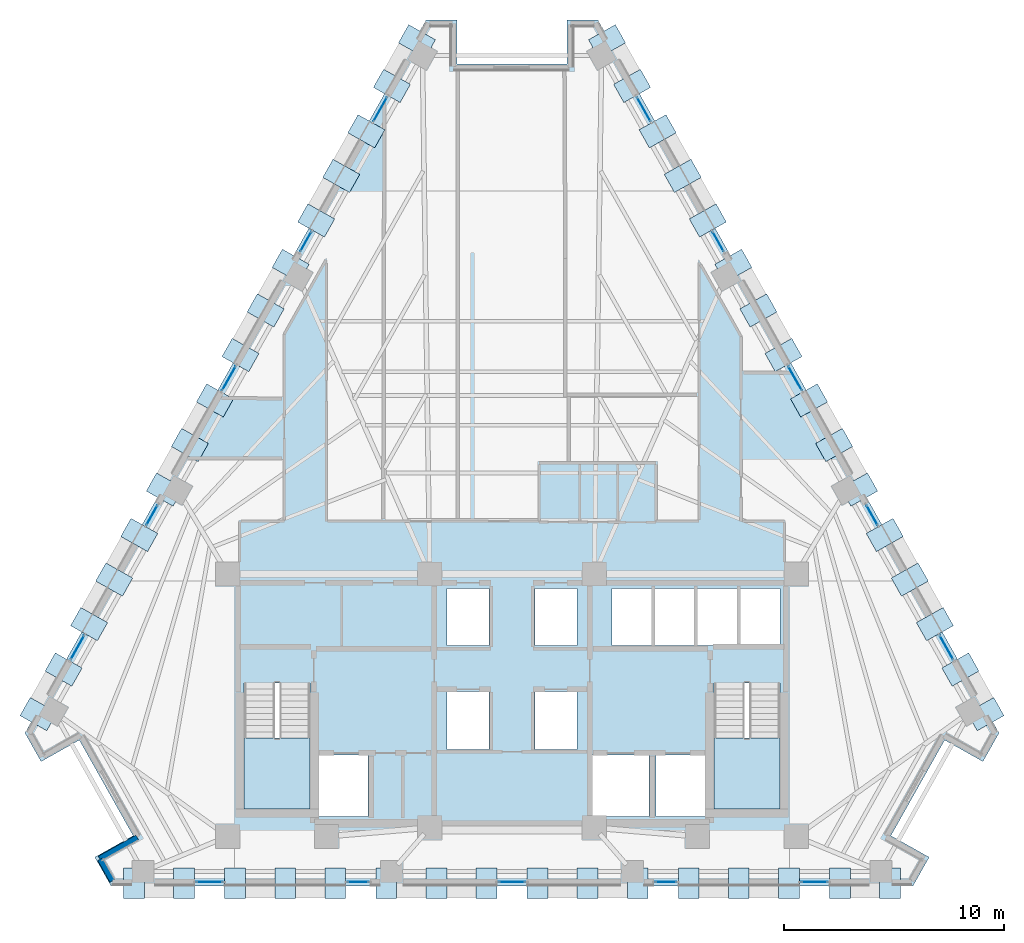
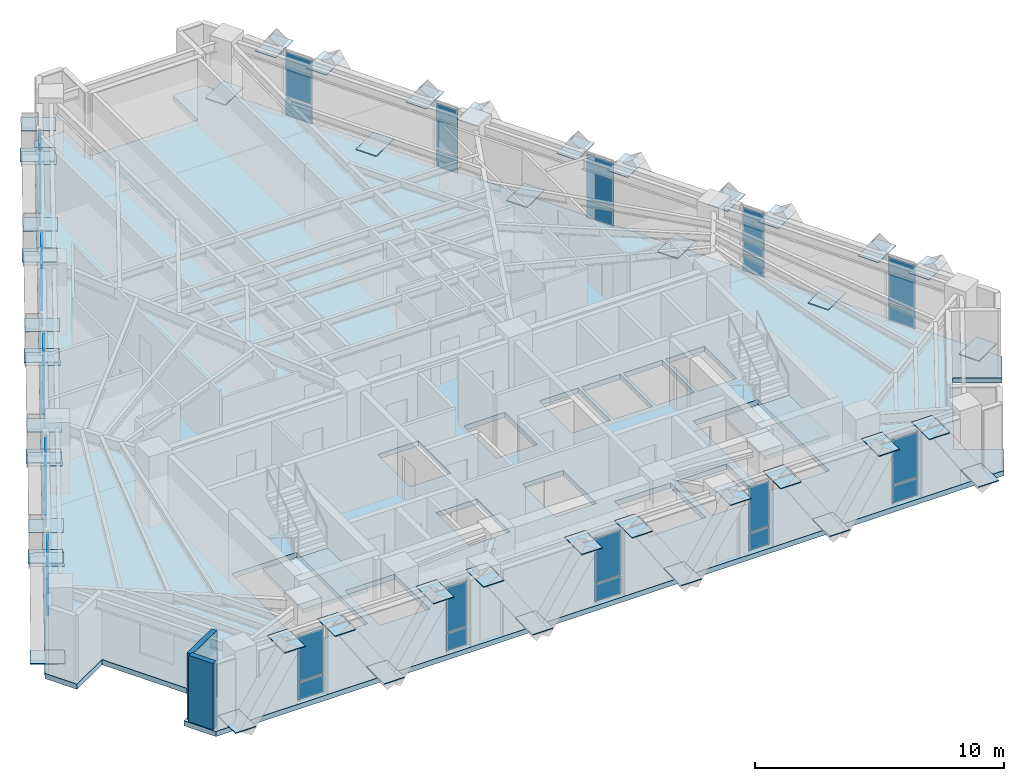
# One storey, part 6 of 13: 78 plates, 3 slabs, 2 walls, 17 elements without a shape of their own.
"""IFC4 building model written with IfcOpenShell, lengths in metres."""

import ifcopenshell
import ifcopenshell.guid

model = None  # the IFC model being written
_history = None  # IfcOwnerHistory: only IFC2X3 demands one
_inside = {}  # id of a spatial element -> (the spatial element, [elements in it])
_under = {}  # id of a project, library or spatial element -> (it, [spatial elements below it])
_declared = {}  # id of a project -> (the project, [libraries it declares])
_typed = {}  # id of a type object -> (the type object, [elements of that type])
_made_of = {}  # id of a material, layer set ... -> (it, [elements and type objects made of it])


def new_model(schema):
    """Start an empty IFC model of exactly this schema.

    Asked for "IFC4X3", IfcOpenShell would pick the latest addendum, in which some entities
    have other attributes; the version numbers below select the first issue.
    IFC2X3 requires an IfcOwnerHistory on every rooted entity: one is made here for all.
    """
    global model, _history
    if schema == "IFC4X3":
        model = ifcopenshell.file(schema_version=(4, 3, 0, 0))
    else:
        model = ifcopenshell.file(schema=schema)
    _inside.clear()
    _under.clear()
    _declared.clear()
    _typed.clear()
    _made_of.clear()
    _history = None
    if model.schema == "IFC2X3":
        org = make("IfcOrganization", Name="unknown")
        user = make(
            "IfcPersonAndOrganization",
            ThePerson=make("IfcPerson", FamilyName="unknown"),
            TheOrganization=org,
        )
        app = make(
            "IfcApplication",
            ApplicationDeveloper=org,
            Version="unknown",
            ApplicationFullName="unknown",
            ApplicationIdentifier="unknown",
        )
        _history = make(
            "IfcOwnerHistory",
            OwningUser=user,
            OwningApplication=app,
            ChangeAction="ADDED",
            CreationDate=0,
        )
    return model


def make(cls, **values):
    """One entity of the class cls with the attributes given. An attribute that is None is left unset."""
    return model.create_entity(
        cls, **{name: value for name, value in values.items() if value is not None}
    )


def rooted(cls, **values):
    """An entity with a GlobalId (a new one), such as an element, a storey or a relation."""
    return make(cls, GlobalId=ifcopenshell.guid.new(), OwnerHistory=_history, **values)


def si_unit(unit_type, name, prefix=None):
    """IfcSIUnit, for example si_unit("LENGTHUNIT", "METRE", prefix="MILLI")."""
    return make("IfcSIUnit", UnitType=unit_type, Prefix=prefix, Name=name)


def assignment(units):
    """IfcUnitAssignment: the units of a project."""
    return None if units is None else make("IfcUnitAssignment", Units=units)


def point(xyz):
    """IfcCartesianPoint."""
    return None if xyz is None else make("IfcCartesianPoint", Coordinates=xyz)


def direction(xyz):
    """IfcDirection."""
    return None if xyz is None else make("IfcDirection", DirectionRatios=xyz)


def frame(location, z_axis=None, x_axis=None):
    """IfcAxis2Placement3D, a coordinate frame: its origin and axes. An axis left out is left unset."""
    return make(
        "IfcAxis2Placement3D",
        Location=point(location),
        Axis=direction(z_axis),
        RefDirection=direction(x_axis),
    )


def frame_2d(location, x_axis=None):
    """IfcAxis2Placement2D, a coordinate frame in the plane: its origin and x axis."""
    return make(
        "IfcAxis2Placement2D", Location=point(location), RefDirection=direction(x_axis)
    )


def origin():
    """The frame at (0, 0, 0) with its axes left unset."""
    return frame((0.0, 0.0, 0.0))


def origin_2d():
    """The frame at (0, 0) in the plane with its x axis left unset."""
    return frame_2d((0.0, 0.0))


def place(relative_to, where):
    """IfcLocalPlacement: puts the frame where relative to a parent placement (None: the world)."""
    return make(
        "IfcLocalPlacement", PlacementRelTo=relative_to, RelativePlacement=where
    )


def context(
    kind, dimensions, precision=None, world=None, true_north=None, identifier=None
):
    """IfcGeometricRepresentationContext, for example the 3D "Model" context."""
    return make(
        "IfcGeometricRepresentationContext",
        ContextIdentifier=identifier,
        ContextType=kind,
        CoordinateSpaceDimension=dimensions,
        Precision=precision,
        WorldCoordinateSystem=world,
        TrueNorth=true_north,
    )


def subcontext(parent, identifier, kind, view, scale=None):
    """IfcGeometricRepresentationSubContext, for example "Body" below "Model"."""
    return make(
        "IfcGeometricRepresentationSubContext",
        ContextIdentifier=identifier,
        ContextType=kind,
        ParentContext=parent,
        TargetScale=scale,
        TargetView=view,
    )


def project(units=None, contexts=None):
    """IfcProject with its units and contexts."""
    return rooted(
        "IfcProject",
        Name="project",
        RepresentationContexts=contexts,
        UnitsInContext=assignment(units),
    )


def spatial(cls, under=None, at=None, **own):
    """A site, building, storey or space (cls), placed at a placement, below another one or the project."""
    s = rooted(cls, ObjectPlacement=at, **own)
    if under is not None:
        _under.setdefault(under.id(), (under, []))[1].append(s)
    return s


def polyline(points):
    """IfcPolyline through the points."""
    return make("IfcPolyline", Points=[point(p) for p in points])


def profile(cls, at=None, kind="AREA", **sizes):
    """A parametric profile (cls). Its sizes go by their IFC names, for example OverallWidth=200.0."""
    return make(cls, ProfileType=kind, Position=at, **sizes)


def rectangle(**sizes):
    """IfcRectangleProfileDef."""
    return profile("IfcRectangleProfileDef", **sizes)


def outline(outer, holes=None, kind="AREA"):
    """IfcArbitraryClosedProfileDef: a profile drawn as a closed curve; with holes, ...WithVoids."""
    if holes is None:
        return make("IfcArbitraryClosedProfileDef", ProfileType=kind, OuterCurve=outer)
    return make(
        "IfcArbitraryProfileDefWithVoids",
        ProfileType=kind,
        OuterCurve=outer,
        InnerCurves=holes,
    )


def extrude(swept, where, along, depth):
    """IfcExtrudedAreaSolid: the profile swept, set in the frame where, extruded along a direction by depth."""
    return make(
        "IfcExtrudedAreaSolid",
        SweptArea=swept,
        Position=where,
        ExtrudedDirection=direction(along),
        Depth=depth,
    )


def shape(context_of_items, identifier, shape_type, items):
    """IfcShapeRepresentation: the items that make up one representation, for example the "Body"."""
    return make(
        "IfcShapeRepresentation",
        ContextOfItems=context_of_items,
        RepresentationIdentifier=identifier,
        RepresentationType=shape_type,
        Items=items,
    )


def material(Name=None, Category=None):
    """IfcMaterial."""
    return make("IfcMaterial", Name=Name, Category=Category)


def layer(
    of_material, thickness, ventilated=None, Name=None, Category=None, Priority=None
):
    """IfcMaterialLayer: one layer of a wall or slab, of a material (None: an air gap)."""
    return make(
        "IfcMaterialLayer",
        Material=of_material,
        LayerThickness=thickness,
        IsVentilated=ventilated,
        Name=Name,
        Category=Category,
        Priority=Priority,
    )


def layer_set(layers, Name=None):
    """IfcMaterialLayerSet."""
    return make("IfcMaterialLayerSet", MaterialLayers=layers, LayerSetName=Name)


def made_of(thing, what):
    """Note that an element or type object is made of a material, layer set ...; save() writes the relation."""
    if what is not None:
        _made_of.setdefault(what.id(), (what, []))[1].append(thing)
    return thing


def type_object(cls, material=None, **own):
    """A type object (cls), such as IfcWallType, which elements share."""
    return made_of(rooted(cls, **own), material)


def element(
    cls,
    number,
    at=None,
    inside=None,
    cuts=None,
    type_object=None,
    material=None,
    context=None,
    identifier="Body",
    shape_type=None,
    held_by="IfcProductDefinitionShape",
    body=None,
    shapes=None,
    **own,
):
    """One element of the class cls, such as IfcWall. Its Tag is "e" and its number.

    at: its placement. inside: the storey or other place that contains it. cuts: it is an
    opening in that element (IfcRelVoidsElement). A single representation is given by context,
    identifier, shape_type and body (its items); several are given by shapes. held_by: the class
    of the entity that holds the representations. save() writes the other relations.
    """
    e = rooted(cls, Tag="e%d" % number, ObjectPlacement=at, **own)
    if body is not None:
        shapes = [shape(context, identifier, shape_type, body)]
    if shapes is not None:
        e.Representation = make(held_by, Representations=shapes)
    if inside is not None:
        _inside.setdefault(inside.id(), (inside, []))[1].append(e)
    if cuts is not None:
        rooted(
            "IfcRelVoidsElement", RelatingBuildingElement=cuts, RelatedOpeningElement=e
        )
    if type_object is not None:
        _typed.setdefault(type_object.id(), (type_object, []))[1].append(e)
    return made_of(e, material)


def aggregate(whole, parts):
    """IfcRelAggregates: a whole, such as a stair, and the parts it consists of."""
    return rooted("IfcRelAggregates", RelatingObject=whole, RelatedObjects=parts)


def save(model, path):
    """Write the relations noted so far, then the file.

    IfcRelAggregates (storeys below a building ...), IfcRelContainedInSpatialStructure (elements
    in a storey), IfcRelDefinesByType, IfcRelAssociatesMaterial and IfcRelDeclares: one each for
    every whole, place, type object, material and project.
    """
    for whole, parts in _under.values():
        aggregate(whole, parts)
    for where, things in _inside.values():
        rooted(
            "IfcRelContainedInSpatialStructure",
            RelatedElements=things,
            RelatingStructure=where,
        )
    for kind, things in _typed.values():
        rooted("IfcRelDefinesByType", RelatedObjects=things, RelatingType=kind)
    for what, things in _made_of.values():
        rooted("IfcRelAssociatesMaterial", RelatedObjects=things, RelatingMaterial=what)
    for by, libraries in _declared.values():
        rooted("IfcRelDeclares", RelatingContext=by, RelatedDefinitions=libraries)
    model.write(path)


model = new_model("IFC4")

# Units and contexts
model_context = context("Model", 3, precision=1e-05, world=origin(), true_north=direction((0.0, 1.0)))
body_context = subcontext(model_context, "Body", "Model", "MODEL_VIEW")
ifc_project = project(units=[si_unit("LENGTHUNIT", "METRE"), si_unit("AREAUNIT", "SQUARE_METRE"), si_unit("VOLUMEUNIT", "CUBIC_METRE"), si_unit("PLANEANGLEUNIT", "RADIAN"), si_unit("MASSUNIT", "GRAM", prefix="KILO")], contexts=[model_context])

# Site, building, storey
site_placement = place(None, origin())
site = spatial("IfcSite", under=ifc_project, at=site_placement, CompositionType="ELEMENT")
building_placement = place(site_placement, origin())
building = spatial("IfcBuilding", under=site, at=building_placement, Name="Quenlor Broadcast Tower", CompositionType="ELEMENT")
storey_placement = place(building_placement, frame((0.0, 0.0, 172.0)))
storey = spatial("IfcBuildingStorey", under=building, at=storey_placement, Name="L47", CompositionType="ELEMENT", Elevation=172.0)

# Curtain wall, plates
ifc_material_1 = material(Name="Architectural Terracotta and Low-E Glazing", Category="masonry")
curtain_wall_type = type_object("IfcCurtainWallType", Name="Unitised Terracotta Curtain Wall System Z3", PredefinedType="NOTDEFINED", material=ifc_material_1)
curtain_wall_1_placement = place(storey_placement, origin())
curtain_wall_1 = element("IfcCurtainWall", 1, at=curtain_wall_1_placement, inside=storey, type_object=curtain_wall_type, Name="L47 Curtain Wall CW3 (L47-SA-G1)", PredefinedType="NOTDEFINED")
ifc_material_2 = material(Name="Double Glazed Low-E Solar Glass", Category="glass")
ifc_layer_1 = layer(ifc_material_2, 0.028076171875)
ifc_layer_set_1 = layer_set([ifc_layer_1], Name="CW3 Double Glazed Vision Panel 28")
plate_type_1 = type_object("IfcPlateType", Name="CW3 Double Glazed Vision Panel 28", PredefinedType="CURTAIN_PANEL", material=ifc_layer_set_1)
plate_1_placement = place(storey_placement, frame((13.77587890625, -18.824951171875, 0.06982421875), z_axis=(0.0, 0.0, 1.0), x_axis=(-1.0, 0.0, 0.0)))
plate_1 = element("IfcPlate", 2, at=plate_1_placement, type_object=plate_type_1, Name="CW3 panel 1.1", PredefinedType="CURTAIN_PANEL", context=body_context, shape_type="SweptSolid", body=[
    extrude(rectangle(XDim=1.197998046875, YDim=0.028076171875, at=origin_2d()), origin(), (0.0, 0.0, 1.0), 0.844970703125),
])
plate_2_placement = place(storey_placement, frame((13.77587890625, -18.824951171875, 0.98486328125), z_axis=(0.0, 0.0, 1.0), x_axis=(-1.0, 0.0, 0.0)))
plate_2 = element("IfcPlate", 3, at=plate_2_placement, type_object=plate_type_1, Name="CW3 panel 1.2", PredefinedType="CURTAIN_PANEL", context=body_context, shape_type="SweptSolid", body=[
    extrude(rectangle(XDim=1.197998046875, YDim=0.028076171875, at=origin_2d()), origin(), (0.0, 0.0, 1.0), 2.195068359375),
])
aggregate(curtain_wall_1, [plate_1, plate_2])

curtain_wall_2_placement = place(storey_placement, origin())
curtain_wall_2 = element("IfcCurtainWall", 4, at=curtain_wall_2_placement, inside=storey, type_object=curtain_wall_type, Name="L47 Curtain Wall CW3 (L47-SA-G2)", PredefinedType="NOTDEFINED")
plate_3_placement = place(storey_placement, frame((7.011474609375, -18.824951171875, 0.06982421875), z_axis=(0.0, 0.0, 1.0), x_axis=(-1.0, 0.0, 0.0)))
plate_3 = element("IfcPlate", 5, at=plate_3_placement, type_object=plate_type_1, Name="CW3 panel 1.1", PredefinedType="CURTAIN_PANEL", context=body_context, shape_type="SweptSolid", body=[
    extrude(rectangle(XDim=0.950927734375, YDim=0.028076171875, at=origin_2d()), origin(), (0.0, 0.0, 1.0), 0.844970703125),
])
plate_4_placement = place(storey_placement, frame((7.011474609375, -18.824951171875, 0.98486328125), z_axis=(0.0, 0.0, 1.0), x_axis=(-1.0, 0.0, 0.0)))
plate_4 = element("IfcPlate", 6, at=plate_4_placement, type_object=plate_type_1, Name="CW3 panel 1.2", PredefinedType="CURTAIN_PANEL", context=body_context, shape_type="SweptSolid", body=[
    extrude(rectangle(XDim=0.950927734375, YDim=0.028076171875, at=origin_2d()), origin(), (0.0, 0.0, 1.0), 2.195068359375),
])
aggregate(curtain_wall_2, [plate_3, plate_4])

curtain_wall_3_placement = place(storey_placement, origin())
curtain_wall_3 = element("IfcCurtainWall", 7, at=curtain_wall_3_placement, inside=storey, type_object=curtain_wall_type, Name="L47 Curtain Wall CW3 (L47-SC-G1)", PredefinedType="NOTDEFINED")
plate_5_placement = place(storey_placement, frame((-7.011474609375, -18.824951171875, 0.06982421875), z_axis=(0.0, 0.0, 1.0), x_axis=(-1.0, 0.0, 0.0)))
plate_5 = element("IfcPlate", 8, at=plate_5_placement, type_object=plate_type_1, Name="CW3 panel 1.1", PredefinedType="CURTAIN_PANEL", context=body_context, shape_type="SweptSolid", body=[
    extrude(rectangle(XDim=0.950927734375, YDim=0.028076171875, at=origin_2d()), origin(), (0.0, 0.0, 1.0), 0.844970703125),
])
plate_6_placement = place(storey_placement, frame((-7.011474609375, -18.824951171875, 0.98486328125), z_axis=(0.0, 0.0, 1.0), x_axis=(-1.0, 0.0, 0.0)))
plate_6 = element("IfcPlate", 9, at=plate_6_placement, type_object=plate_type_1, Name="CW3 panel 1.2", PredefinedType="CURTAIN_PANEL", context=body_context, shape_type="SweptSolid", body=[
    extrude(rectangle(XDim=0.950927734375, YDim=0.028076171875, at=origin_2d()), origin(), (0.0, 0.0, 1.0), 2.195068359375),
])
aggregate(curtain_wall_3, [plate_5, plate_6])

curtain_wall_4_placement = place(storey_placement, origin())
curtain_wall_4 = element("IfcCurtainWall", 10, at=curtain_wall_4_placement, inside=storey, type_object=curtain_wall_type, Name="L47 Curtain Wall CW3 (L47-SC-G2)", PredefinedType="NOTDEFINED")
plate_7_placement = place(storey_placement, frame((-13.77587890625, -18.824951171875, 0.06982421875), z_axis=(0.0, 0.0, 1.0), x_axis=(-1.0, 0.0, 0.0)))
plate_7 = element("IfcPlate", 11, at=plate_7_placement, type_object=plate_type_1, Name="CW3 panel 1.1", PredefinedType="CURTAIN_PANEL", context=body_context, shape_type="SweptSolid", body=[
    extrude(rectangle(XDim=1.197998046875, YDim=0.028076171875, at=origin_2d()), origin(), (0.0, 0.0, 1.0), 0.844970703125),
])
plate_8_placement = place(storey_placement, frame((-13.77587890625, -18.824951171875, 0.98486328125), z_axis=(0.0, 0.0, 1.0), x_axis=(-1.0, 0.0, 0.0)))
plate_8 = element("IfcPlate", 12, at=plate_8_placement, type_object=plate_type_1, Name="CW3 panel 1.2", PredefinedType="CURTAIN_PANEL", context=body_context, shape_type="SweptSolid", body=[
    extrude(rectangle(XDim=1.197998046875, YDim=0.028076171875, at=origin_2d()), origin(), (0.0, 0.0, 1.0), 2.195068359375),
])
aggregate(curtain_wall_4, [plate_7, plate_8])

curtain_wall_5_placement = place(storey_placement, origin())
curtain_wall_5 = element("IfcCurtainWall", 13, at=curtain_wall_5_placement, inside=storey, type_object=curtain_wall_type, Name="L47 Curtain Wall CW3 (L47-S-G1)", PredefinedType="NOTDEFINED")
plate_9_placement = place(storey_placement, frame((0.0, -18.824951171875, 0.06982421875), z_axis=(0.0, 0.0, 1.0), x_axis=(-1.0, 0.0, 0.0)))
plate_9 = element("IfcPlate", 14, at=plate_9_placement, type_object=plate_type_1, Name="CW3 panel 1.1", PredefinedType="CURTAIN_PANEL", context=body_context, shape_type="SweptSolid", body=[
    extrude(rectangle(XDim=1.197998046875, YDim=0.028076171875, at=origin_2d()), origin(), (0.0, 0.0, 1.0), 0.844970703125),
])
plate_10_placement = place(storey_placement, frame((0.0, -18.824951171875, 0.98486328125), z_axis=(0.0, 0.0, 1.0), x_axis=(-1.0, 0.0, 0.0)))
plate_10 = element("IfcPlate", 15, at=plate_10_placement, type_object=plate_type_1, Name="CW3 panel 1.2", PredefinedType="CURTAIN_PANEL", context=body_context, shape_type="SweptSolid", body=[
    extrude(rectangle(XDim=1.197998046875, YDim=0.028076171875, at=origin_2d()), origin(), (0.0, 0.0, 1.0), 2.195068359375),
])
aggregate(curtain_wall_5, [plate_9, plate_10])

curtain_wall_6_placement = place(storey_placement, origin())
curtain_wall_6 = element("IfcCurtainWall", 16, at=curtain_wall_6_placement, inside=storey, type_object=curtain_wall_type, Name="L47 Curtain Wall CW3 (L47-NEA-G1)", PredefinedType="NOTDEFINED")
plate_11_placement = place(storey_placement, frame((6.00146484375, 16.3740234375, 0.06982421875), z_axis=(0.0, 0.0, 1.0), x_axis=(0.490230492916, -0.871592831439, 0.0)))
plate_11 = element("IfcPlate", 17, at=plate_11_placement, type_object=plate_type_1, Name="CW3 panel 1.1", PredefinedType="CURTAIN_PANEL", context=body_context, shape_type="SweptSolid", body=[
    extrude(rectangle(XDim=1.249755859375, YDim=0.028076171875, at=origin_2d()), origin(), (0.0, 0.0, 1.0), 0.844970703125),
])
plate_12_placement = place(storey_placement, frame((6.00146484375, 16.3740234375, 0.98486328125), z_axis=(0.0, 0.0, 1.0), x_axis=(0.490230492916, -0.871592831439, 0.0)))
plate_12 = element("IfcPlate", 18, at=plate_12_placement, type_object=plate_type_1, Name="CW3 panel 1.2", PredefinedType="CURTAIN_PANEL", context=body_context, shape_type="SweptSolid", body=[
    extrude(rectangle(XDim=1.249755859375, YDim=0.028076171875, at=origin_2d()), origin(), (0.0, 0.0, 1.0), 2.195068359375),
])
aggregate(curtain_wall_6, [plate_11, plate_12])

curtain_wall_7_placement = place(storey_placement, origin())
curtain_wall_7 = element("IfcCurtainWall", 19, at=curtain_wall_7_placement, inside=storey, type_object=curtain_wall_type, Name="L47 Curtain Wall CW3 (L47-NEA-G2)", PredefinedType="NOTDEFINED")
plate_13_placement = place(storey_placement, frame((9.391357421875, 10.34716796875, 0.06982421875), z_axis=(0.0, 0.0, 1.0), x_axis=(0.490215950125, -0.871601010924, 0.0)))
plate_13 = element("IfcPlate", 20, at=plate_13_placement, type_object=plate_type_1, Name="CW3 panel 1.1", PredefinedType="CURTAIN_PANEL", context=body_context, shape_type="SweptSolid", body=[
    extrude(rectangle(XDim=1.01318359375, YDim=0.028076171875, at=origin_2d()), origin(), (0.0, 0.0, 1.0), 0.844970703125),
])
plate_14_placement = place(storey_placement, frame((9.391357421875, 10.34716796875, 0.98486328125), z_axis=(0.0, 0.0, 1.0), x_axis=(0.490215950125, -0.871601010924, 0.0)))
plate_14 = element("IfcPlate", 21, at=plate_14_placement, type_object=plate_type_1, Name="CW3 panel 1.2", PredefinedType="CURTAIN_PANEL", context=body_context, shape_type="SweptSolid", body=[
    extrude(rectangle(XDim=1.01318359375, YDim=0.028076171875, at=origin_2d()), origin(), (0.0, 0.0, 1.0), 2.195068359375),
])
aggregate(curtain_wall_7, [plate_13, plate_14])

curtain_wall_8_placement = place(storey_placement, origin())
curtain_wall_8 = element("IfcCurtainWall", 22, at=curtain_wall_8_placement, inside=storey, type_object=curtain_wall_type, Name="L47 Curtain Wall CW3 (L47-NEC-G1)", PredefinedType="NOTDEFINED")
plate_15_placement = place(storey_placement, frame((16.403564453125, -2.118896484375, 0.06982421875), z_axis=(0.0, 0.0, 1.0), x_axis=(0.490253004657, -0.871580169247, 0.0)))
plate_15 = element("IfcPlate", 23, at=plate_15_placement, type_object=plate_type_1, Name="CW3 panel 1.1", PredefinedType="CURTAIN_PANEL", context=body_context, shape_type="SweptSolid", body=[
    extrude(rectangle(XDim=1.01318359375, YDim=0.028076171875, at=origin_2d()), origin(), (0.0, 0.0, 1.0), 0.844970703125),
])
plate_16_placement = place(storey_placement, frame((16.403564453125, -2.118896484375, 0.98486328125), z_axis=(0.0, 0.0, 1.0), x_axis=(0.490253004657, -0.871580169247, 0.0)))
plate_16 = element("IfcPlate", 24, at=plate_16_placement, type_object=plate_type_1, Name="CW3 panel 1.2", PredefinedType="CURTAIN_PANEL", context=body_context, shape_type="SweptSolid", body=[
    extrude(rectangle(XDim=1.01318359375, YDim=0.028076171875, at=origin_2d()), origin(), (0.0, 0.0, 1.0), 2.195068359375),
])
aggregate(curtain_wall_8, [plate_15, plate_16])

curtain_wall_9_placement = place(storey_placement, origin())
curtain_wall_9 = element("IfcCurtainWall", 25, at=curtain_wall_9_placement, inside=storey, type_object=curtain_wall_type, Name="L47 Curtain Wall CW3 (L47-NEC-G2)", PredefinedType="NOTDEFINED")
plate_17_placement = place(storey_placement, frame((19.793701171875, -8.145751953125, 0.06982421875), z_axis=(0.0, 0.0, 1.0), x_axis=(0.490261239636, -0.871575537123, 0.0)))
plate_17 = element("IfcPlate", 26, at=plate_17_placement, type_object=plate_type_1, Name="CW3 panel 1.1", PredefinedType="CURTAIN_PANEL", context=body_context, shape_type="SweptSolid", body=[
    extrude(rectangle(XDim=1.249755859375, YDim=0.028076171875, at=origin_2d()), origin(), (0.0, 0.0, 1.0), 0.844970703125),
])
plate_18_placement = place(storey_placement, frame((19.793701171875, -8.145751953125, 0.98486328125), z_axis=(0.0, 0.0, 1.0), x_axis=(0.490261239636, -0.871575537123, 0.0)))
plate_18 = element("IfcPlate", 27, at=plate_18_placement, type_object=plate_type_1, Name="CW3 panel 1.2", PredefinedType="CURTAIN_PANEL", context=body_context, shape_type="SweptSolid", body=[
    extrude(rectangle(XDim=1.249755859375, YDim=0.028076171875, at=origin_2d()), origin(), (0.0, 0.0, 1.0), 2.195068359375),
])
aggregate(curtain_wall_9, [plate_17, plate_18])

curtain_wall_10_placement = place(storey_placement, origin())
curtain_wall_10 = element("IfcCurtainWall", 28, at=curtain_wall_10_placement, inside=storey, type_object=curtain_wall_type, Name="L47 Curtain Wall CW3 (L47-NE-G1)", PredefinedType="NOTDEFINED")
plate_19_placement = place(storey_placement, frame((12.8974609375, 4.1142578125, 0.06982421875), z_axis=(0.0, 0.0, 1.0), x_axis=(0.490285152484, -0.871562085714, 0.0)))
plate_19 = element("IfcPlate", 29, at=plate_19_placement, type_object=plate_type_1, Name="CW3 panel 1.1", PredefinedType="CURTAIN_PANEL", context=body_context, shape_type="SweptSolid", body=[
    extrude(rectangle(XDim=1.249755859375, YDim=0.028076171875, at=origin_2d()), origin(), (0.0, 0.0, 1.0), 0.844970703125),
])
plate_20_placement = place(storey_placement, frame((12.8974609375, 4.1142578125, 0.98486328125), z_axis=(0.0, 0.0, 1.0), x_axis=(0.490285152484, -0.871562085714, 0.0)))
plate_20 = element("IfcPlate", 30, at=plate_20_placement, type_object=plate_type_1, Name="CW3 panel 1.2", PredefinedType="CURTAIN_PANEL", context=body_context, shape_type="SweptSolid", body=[
    extrude(rectangle(XDim=1.249755859375, YDim=0.028076171875, at=origin_2d()), origin(), (0.0, 0.0, 1.0), 2.195068359375),
])
aggregate(curtain_wall_10, [plate_19, plate_20])

curtain_wall_11_placement = place(storey_placement, origin())
curtain_wall_11 = element("IfcCurtainWall", 31, at=curtain_wall_11_placement, inside=storey, type_object=curtain_wall_type, Name="L47 Curtain Wall CW3 (L47-NWA-G1)", PredefinedType="NOTDEFINED")
plate_21_placement = place(storey_placement, frame((-19.793701171875, -8.145751953125, 0.06982421875), z_axis=(0.0, 0.0, 1.0), x_axis=(0.490261239636, 0.871575537123, 0.0)))
plate_21 = element("IfcPlate", 32, at=plate_21_placement, type_object=plate_type_1, Name="CW3 panel 1.1", PredefinedType="CURTAIN_PANEL", context=body_context, shape_type="SweptSolid", body=[
    extrude(rectangle(XDim=1.249755859375, YDim=0.028076171875, at=origin_2d()), origin(), (0.0, 0.0, 1.0), 0.844970703125),
])
plate_22_placement = place(storey_placement, frame((-19.793701171875, -8.145751953125, 0.98486328125), z_axis=(0.0, 0.0, 1.0), x_axis=(0.490261239636, 0.871575537123, 0.0)))
plate_22 = element("IfcPlate", 33, at=plate_22_placement, type_object=plate_type_1, Name="CW3 panel 1.2", PredefinedType="CURTAIN_PANEL", context=body_context, shape_type="SweptSolid", body=[
    extrude(rectangle(XDim=1.249755859375, YDim=0.028076171875, at=origin_2d()), origin(), (0.0, 0.0, 1.0), 2.195068359375),
])
aggregate(curtain_wall_11, [plate_21, plate_22])

curtain_wall_12_placement = place(storey_placement, origin())
curtain_wall_12 = element("IfcCurtainWall", 34, at=curtain_wall_12_placement, inside=storey, type_object=curtain_wall_type, Name="L47 Curtain Wall CW3 (L47-NWA-G2)", PredefinedType="NOTDEFINED")
plate_23_placement = place(storey_placement, frame((-16.403564453125, -2.118896484375, 0.06982421875), z_axis=(0.0, 0.0, 1.0), x_axis=(0.490253004657, 0.871580169247, 0.0)))
plate_23 = element("IfcPlate", 35, at=plate_23_placement, type_object=plate_type_1, Name="CW3 panel 1.1", PredefinedType="CURTAIN_PANEL", context=body_context, shape_type="SweptSolid", body=[
    extrude(rectangle(XDim=1.01318359375, YDim=0.028076171875, at=origin_2d()), origin(), (0.0, 0.0, 1.0), 0.844970703125),
])
plate_24_placement = place(storey_placement, frame((-16.403564453125, -2.118896484375, 0.98486328125), z_axis=(0.0, 0.0, 1.0), x_axis=(0.490253004657, 0.871580169247, 0.0)))
plate_24 = element("IfcPlate", 36, at=plate_24_placement, type_object=plate_type_1, Name="CW3 panel 1.2", PredefinedType="CURTAIN_PANEL", context=body_context, shape_type="SweptSolid", body=[
    extrude(rectangle(XDim=1.01318359375, YDim=0.028076171875, at=origin_2d()), origin(), (0.0, 0.0, 1.0), 2.195068359375),
])
aggregate(curtain_wall_12, [plate_23, plate_24])

curtain_wall_13_placement = place(storey_placement, origin())
curtain_wall_13 = element("IfcCurtainWall", 37, at=curtain_wall_13_placement, inside=storey, type_object=curtain_wall_type, Name="L47 Curtain Wall CW3 (L47-NWC-G1)", PredefinedType="NOTDEFINED")
plate_25_placement = place(storey_placement, frame((-9.391357421875, 10.34716796875, 0.06982421875), z_axis=(0.0, 0.0, 1.0), x_axis=(0.490215950125, 0.871601010924, 0.0)))
plate_25 = element("IfcPlate", 38, at=plate_25_placement, type_object=plate_type_1, Name="CW3 panel 1.1", PredefinedType="CURTAIN_PANEL", context=body_context, shape_type="SweptSolid", body=[
    extrude(rectangle(XDim=1.01318359375, YDim=0.028076171875, at=origin_2d()), origin(), (0.0, 0.0, 1.0), 0.844970703125),
])
plate_26_placement = place(storey_placement, frame((-9.391357421875, 10.34716796875, 0.98486328125), z_axis=(0.0, 0.0, 1.0), x_axis=(0.490215950125, 0.871601010924, 0.0)))
plate_26 = element("IfcPlate", 39, at=plate_26_placement, type_object=plate_type_1, Name="CW3 panel 1.2", PredefinedType="CURTAIN_PANEL", context=body_context, shape_type="SweptSolid", body=[
    extrude(rectangle(XDim=1.01318359375, YDim=0.028076171875, at=origin_2d()), origin(), (0.0, 0.0, 1.0), 2.195068359375),
])
aggregate(curtain_wall_13, [plate_25, plate_26])

curtain_wall_14_placement = place(storey_placement, origin())
curtain_wall_14 = element("IfcCurtainWall", 40, at=curtain_wall_14_placement, inside=storey, type_object=curtain_wall_type, Name="L47 Curtain Wall CW3 (L47-NWC-G2)", PredefinedType="NOTDEFINED")
plate_27_placement = place(storey_placement, frame((-6.00146484375, 16.3740234375, 0.06982421875), z_axis=(0.0, 0.0, 1.0), x_axis=(0.490230492916, 0.871592831439, 0.0)))
plate_27 = element("IfcPlate", 41, at=plate_27_placement, type_object=plate_type_1, Name="CW3 panel 1.1", PredefinedType="CURTAIN_PANEL", context=body_context, shape_type="SweptSolid", body=[
    extrude(rectangle(XDim=1.249755859375, YDim=0.028076171875, at=origin_2d()), origin(), (0.0, 0.0, 1.0), 0.844970703125),
])
plate_28_placement = place(storey_placement, frame((-6.00146484375, 16.3740234375, 0.98486328125), z_axis=(0.0, 0.0, 1.0), x_axis=(0.490230492916, 0.871592831439, 0.0)))
plate_28 = element("IfcPlate", 42, at=plate_28_placement, type_object=plate_type_1, Name="CW3 panel 1.2", PredefinedType="CURTAIN_PANEL", context=body_context, shape_type="SweptSolid", body=[
    extrude(rectangle(XDim=1.249755859375, YDim=0.028076171875, at=origin_2d()), origin(), (0.0, 0.0, 1.0), 2.195068359375),
])
aggregate(curtain_wall_14, [plate_27, plate_28])

curtain_wall_15_placement = place(storey_placement, origin())
curtain_wall_15 = element("IfcCurtainWall", 43, at=curtain_wall_15_placement, inside=storey, type_object=curtain_wall_type, Name="L47 Curtain Wall CW3 (L47-NW-G1)", PredefinedType="NOTDEFINED")
plate_29_placement = place(storey_placement, frame((-12.8974609375, 4.1142578125, 0.06982421875), z_axis=(0.0, 0.0, 1.0), x_axis=(0.490285152484, 0.871562085714, 0.0)))
plate_29 = element("IfcPlate", 44, at=plate_29_placement, type_object=plate_type_1, Name="CW3 panel 1.1", PredefinedType="CURTAIN_PANEL", context=body_context, shape_type="SweptSolid", body=[
    extrude(rectangle(XDim=1.249755859375, YDim=0.028076171875, at=origin_2d()), origin(), (0.0, 0.0, 1.0), 0.844970703125),
])
plate_30_placement = place(storey_placement, frame((-12.8974609375, 4.1142578125, 0.98486328125), z_axis=(0.0, 0.0, 1.0), x_axis=(0.490285152484, 0.871562085714, 0.0)))
plate_30 = element("IfcPlate", 45, at=plate_30_placement, type_object=plate_type_1, Name="CW3 panel 1.2", PredefinedType="CURTAIN_PANEL", context=body_context, shape_type="SweptSolid", body=[
    extrude(rectangle(XDim=1.249755859375, YDim=0.028076171875, at=origin_2d()), origin(), (0.0, 0.0, 1.0), 2.195068359375),
])
aggregate(curtain_wall_15, [plate_29, plate_30])

# Stair, slab
ifc_material_3 = material(Name="Precast concrete C40/50", Category="concrete")
stair_type = type_object("IfcStairType", Name="Precast Concrete C40/50 Dogleg Stair H350", PredefinedType="HALF_TURN_STAIR", material=ifc_material_3)
stair_1_placement = place(storey_placement, origin())
stair_1 = element("IfcStair", 46, at=stair_1_placement, inside=storey, type_object=stair_type, Name="L47 West Core Fire-Isolated Exit Stair ST-1", PredefinedType="HALF_TURN_STAIR")
ifc_material_4 = material(Name="Precast concrete C40/50", Category="concrete")
ifc_layer_2 = layer(ifc_material_4, 0.199951171875)
ifc_layer_set_2 = layer_set([ifc_layer_2], Name="Precast Concrete C40/50 Stair Landing Slab 200")
slab_type_1 = type_object("IfcSlabType", Name="Precast Concrete C40/50 Stair Landing Slab 200", PredefinedType="LANDING", material=ifc_layer_set_2)
slab_1_placement = place(storey_placement, frame((0.0, 0.0, 1.550048828125)))
slab_1 = element("IfcSlab", 47, at=slab_1_placement, type_object=slab_type_1, Name="ST-1 landing 1", PredefinedType="LANDING", context=body_context, shape_type="SweptSolid", body=[
    extrude(outline(polyline([(-12.199951171875, -12.27001953125), (-12.199951171875, -15.5), (-9.199951171875, -15.5), (-9.199951171875, -12.27001953125), (-12.199951171875, -12.27001953125)])), origin(), (0.0, 0.0, 1.0), 0.199951171875),
])
aggregate(stair_1, [slab_1])

stair_2_placement = place(storey_placement, origin())
stair_2 = element("IfcStair", 48, at=stair_2_placement, inside=storey, type_object=stair_type, Name="L47 East Core Fire-Isolated Exit Stair ST-2", PredefinedType="HALF_TURN_STAIR")
slab_2_placement = place(storey_placement, frame((0.0, 0.0, 1.550048828125)))
slab_2 = element("IfcSlab", 49, at=slab_2_placement, type_object=slab_type_1, Name="ST-2 landing 1", PredefinedType="LANDING", context=body_context, shape_type="SweptSolid", body=[
    extrude(outline(polyline([(9.199951171875, -12.27001953125), (9.199951171875, -15.5), (12.199951171875, -15.5), (12.199951171875, -12.27001953125), (9.199951171875, -12.27001953125)])), origin(), (0.0, 0.0, 1.0), 0.199951171875),
])
aggregate(stair_2, [slab_2])

# Slab
ifc_material_5 = material(Name="Concrete C40/50", Category="concrete")
ifc_layer_3 = layer(ifc_material_5, 0.25)
ifc_layer_set_3 = layer_set([ifc_layer_3], Name="Tower Composite Concrete C40/50 Slab 250")
slab_type_2 = type_object("IfcSlabType", Name="Tower Composite Concrete C40/50 Slab 250", PredefinedType="FLOOR", material=ifc_layer_set_3)
slab_3_placement = place(storey_placement, frame((0.0, 0.0, -0.25)))
element("IfcSlab", 50, at=slab_3_placement, inside=storey, type_object=slab_type_2, Name="L47 Structural Floor Slab", PredefinedType="FLOOR", context=body_context, shape_type="SweptSolid", body=[
    extrude(outline(polyline([(18.27001953125, -19.0), (19.001708984375, -17.698974609375), (17.2587890625, -16.718505859375), (19.7099609375, -12.360595703125), (21.453125, -13.341064453125), (22.18505859375, -12.0400390625), (3.9150390625, 20.43994140625), (2.5, 20.43994140625), (2.5, 18.43994140625), (-2.5, 18.43994140625), (-2.5, 20.43994140625), (-3.9150390625, 20.43994140625), (-22.18505859375, -12.0400390625), (-21.453125, -13.341064453125), (-19.7099609375, -12.360595703125), (-17.2587890625, -16.718505859375), (-19.001708984375, -17.698974609375), (-18.27001953125, -19.0), (18.27001953125, -19.0)]), holes=[polyline([(-12.199951171875, -9.758056640625), (-12.199951171875, -15.5), (-9.199951171875, -15.5), (-9.199951171875, -9.758056640625), (-12.199951171875, -9.758056640625)]), polyline([(9.199951171875, -9.758056640625), (9.199951171875, -15.5), (12.199951171875, -15.5), (12.199951171875, -9.758056640625), (9.199951171875, -9.758056640625)]), polyline([(-2.949951171875, -8.050048828125), (-1.050048828125, -8.050048828125), (-1.050048828125, -5.449951171875), (-2.949951171875, -5.449951171875), (-2.949951171875, -8.050048828125)]), polyline([(1.050048828125, -8.050048828125), (2.949951171875, -8.050048828125), (2.949951171875, -5.449951171875), (1.050048828125, -5.449951171875), (1.050048828125, -8.050048828125)]), polyline([(-2.949951171875, -12.800048828125), (-1.050048828125, -12.800048828125), (-1.050048828125, -10.14990234375), (-2.949951171875, -10.14990234375), (-2.949951171875, -12.800048828125)]), polyline([(1.050048828125, -12.800048828125), (2.949951171875, -12.800048828125), (2.949951171875, -10.14990234375), (1.050048828125, -10.14990234375), (1.050048828125, -12.800048828125)]), polyline([(4.550048828125, -8.050048828125), (6.35009765625, -8.050048828125), (6.35009765625, -5.449951171875), (4.550048828125, -5.449951171875), (4.550048828125, -8.050048828125)]), polyline([(6.5, -8.050048828125), (8.300048828125, -8.050048828125), (8.300048828125, -5.449951171875), (6.5, -5.449951171875), (6.5, -8.050048828125)]), polyline([(8.449951171875, -8.050048828125), (10.25, -8.050048828125), (10.25, -5.449951171875), (8.449951171875, -5.449951171875), (8.449951171875, -8.050048828125)]), polyline([(10.39990234375, -8.050048828125), (12.199951171875, -8.050048828125), (12.199951171875, -5.449951171875), (10.39990234375, -5.449951171875), (10.39990234375, -8.050048828125)]), polyline([(-8.85009765625, -15.85009765625), (-6.550048828125, -15.85009765625), (-6.550048828125, -13.050048828125), (-8.85009765625, -13.050048828125), (-8.85009765625, -15.85009765625)]), polyline([(6.550048828125, -15.85009765625), (8.85009765625, -15.85009765625), (8.85009765625, -13.050048828125), (6.550048828125, -13.050048828125), (6.550048828125, -15.85009765625)]), polyline([(3.64990234375, -15.85009765625), (6.25, -15.85009765625), (6.25, -13.050048828125), (3.64990234375, -13.050048828125), (3.64990234375, -15.85009765625)])]), origin(), (0.0, 0.0, 1.0), 0.25),
])

# Plates
ifc_material_6 = material(Name="Steel S355", Category="steel")
ifc_layer_4 = layer(ifc_material_6, 0.035888671875)
ifc_layer_set_4 = layer_set([ifc_layer_4], Name="Transfer Truss Steel S355 Gusset Node Plate 1400x950x36")
plate_type_2 = type_object("IfcPlateType", Name="Transfer Truss Steel S355 Gusset Node Plate 1400x950x36", PredefinedType="SHEET", material=ifc_layer_set_4)
for number, where, z_axis, x_axis, name in (
    (51, (17.219970703125, -18.885009765625, 0.0419921875), (0.0, 0.0, 1.0), (0.0, -1.0, 0.0), "L47 Lattice Tie Gusset Node S-B0"),
    (52, (14.937744140625, -18.885009765625, 3.18212890625), (0.0, 0.0, 1.0), (0.0, -1.0, 0.0), "L47 Lattice Tie Gusset Node S-T1"),
    (53, (10.33203125, -18.885009765625, 0.0419921875), (0.0, 0.0, 1.0), (0.0, -1.0, 0.0), "L47 Lattice Tie Gusset Node S-B3"),
    (54, (12.6142578125, -18.885009765625, 3.18212890625), (0.0, 0.0, 1.0), (0.0, -1.0, 0.0), "L47 Lattice Tie Gusset Node S-T2"),
    (55, (8.0498046875, -18.885009765625, 3.18212890625), (0.0, 0.0, 1.0), (0.0, -1.0, 0.0), "L47 Lattice Tie Gusset Node S-T4"),
    (56, (3.444091796875, -18.885009765625, 0.0419921875), (0.0, 0.0, 1.0), (0.0, -1.0, 0.0), "L47 Lattice Tie Gusset Node S-B6"),
    (57, (5.726318359375, -18.885009765625, 3.18212890625), (0.0, 0.0, 1.0), (0.0, -1.0, 0.0), "L47 Lattice Tie Gusset Node S-T5"),
    (58, (1.161865234375, -18.885009765625, 3.18212890625), (0.0, 0.0, 1.0), (0.0, -1.0, 0.0), "L47 Lattice Tie Gusset Node S-T7"),
    (59, (-3.444091796875, -18.885009765625, 0.0419921875), (0.0, 0.0, 1.0), (0.0, -1.0, 0.0), "L47 Lattice Tie Gusset Node S-B9"),
    (60, (-1.161865234375, -18.885009765625, 3.18212890625), (0.0, 0.0, 1.0), (0.0, -1.0, 0.0), "L47 Lattice Tie Gusset Node S-T8"),
    (61, (-5.726318359375, -18.885009765625, 3.18212890625), (0.0, 0.0, 1.0), (0.0, -1.0, 0.0), "L47 Lattice Tie Gusset Node S-T10"),
    (62, (-10.33203125, -18.885009765625, 0.0419921875), (0.0, 0.0, 1.0), (0.0, -1.0, 0.0), "L47 Lattice Tie Gusset Node S-B12"),
    (63, (-8.0498046875, -18.885009765625, 3.18212890625), (0.0, 0.0, 1.0), (0.0, -1.0, 0.0), "L47 Lattice Tie Gusset Node S-T11"),
    (64, (-12.6142578125, -18.885009765625, 3.18212890625), (0.0, 0.0, 1.0), (0.0, -1.0, 0.0), "L47 Lattice Tie Gusset Node S-T13"),
    (65, (-17.219970703125, -18.885009765625, 0.0419921875), (0.0, 0.0, 1.0), (0.0, -1.0, 0.0), "L47 Lattice Tie Gusset Node S-B15"),
    (66, (-14.937744140625, -18.885009765625, 3.18212890625), (0.0, 0.0, 1.0), (0.0, -1.0, 0.0), "L47 Lattice Tie Gusset Node S-T14"),
    (67, (4.32958984375, 19.468505859375, 0.0419921875), (0.0, 0.0, 1.0), (0.871556314255, 0.490295412055, 0.0), "L47 Lattice Tie Gusset Node NE-B0"),
    (68, (5.471923828125, 17.4375, 3.18212890625), (0.0, 0.0, 1.0), (0.871556314255, 0.490295412055, 0.0), "L47 Lattice Tie Gusset Node NE-T1"),
    (69, (7.777587890625, 13.33837890625, 0.0419921875), (0.0, 0.0, 1.0), (0.871556314255, 0.490295412055, 0.0), "L47 Lattice Tie Gusset Node NE-B3"),
    (70, (6.63525390625, 15.36962890625, 3.18212890625), (0.0, 0.0, 1.0), (0.871556314255, 0.490295412055, 0.0), "L47 Lattice Tie Gusset Node NE-T2"),
    (71, (8.920166015625, 11.3076171875, 3.18212890625), (0.0, 0.0, 1.0), (0.871556314255, 0.490295412055, 0.0), "L47 Lattice Tie Gusset Node NE-T4"),
    (72, (11.2255859375, 7.20849609375, 0.0419921875), (0.0, 0.0, 1.0), (0.871556314255, 0.490295412055, 0.0), "L47 Lattice Tie Gusset Node NE-B6"),
    (73, (10.083251953125, 9.239501953125, 3.18212890625), (0.0, 0.0, 1.0), (0.871556314255, 0.490295412055, 0.0), "L47 Lattice Tie Gusset Node NE-T5"),
    (74, (12.3681640625, 5.177490234375, 3.18212890625), (0.0, 0.0, 1.0), (0.871556314255, 0.490295412055, 0.0), "L47 Lattice Tie Gusset Node NE-T7"),
    (75, (14.673828125, 1.07861328125, 0.0419921875), (0.0, 0.0, 1.0), (0.871556314255, 0.490295412055, 0.0), "L47 Lattice Tie Gusset Node NE-B9"),
    (76, (13.531494140625, 3.109619140625, 3.18212890625), (0.0, 0.0, 1.0), (0.871556314255, 0.490295412055, 0.0), "L47 Lattice Tie Gusset Node NE-T8"),
    (77, (15.81640625, -0.952392578125, 3.18212890625), (0.0, 0.0, 1.0), (0.871556314255, 0.490295412055, 0.0), "L47 Lattice Tie Gusset Node NE-T10"),
    (78, (18.121826171875, -5.05126953125, 0.0419921875), (0.0, 0.0, 1.0), (0.871556314255, 0.490295412055, 0.0), "L47 Lattice Tie Gusset Node NE-B12"),
    (79, (16.9794921875, -3.020263671875, 3.18212890625), (0.0, 0.0, 1.0), (0.871556314255, 0.490295412055, 0.0), "L47 Lattice Tie Gusset Node NE-T11"),
    (80, (19.264404296875, -7.082275390625, 3.18212890625), (0.0, 0.0, 1.0), (0.871556314255, 0.490295412055, 0.0), "L47 Lattice Tie Gusset Node NE-T13"),
    (81, (21.570068359375, -11.18115234375, 0.0419921875), (0.0, 0.0, 1.0), (0.871556314255, 0.490295412055, 0.0), "L47 Lattice Tie Gusset Node NE-B15"),
    (82, (20.427490234375, -9.150146484375, 3.18212890625), (0.0, 0.0, 1.0), (0.871556314255, 0.490295412055, 0.0), "L47 Lattice Tie Gusset Node NE-T14"),
    (83, (-21.570068359375, -11.18115234375, 0.0419921875), (0.0, 0.0, 1.0), (-0.871556314255, 0.490295412055, 0.0), "L47 Lattice Tie Gusset Node NW-B0"),
    (84, (-20.427490234375, -9.150146484375, 3.18212890625), (0.0, 0.0, 1.0), (-0.871556314255, 0.490295412055, 0.0), "L47 Lattice Tie Gusset Node NW-T1"),
    (85, (-18.121826171875, -5.05126953125, 0.0419921875), (0.0, 0.0, 1.0), (-0.871556314255, 0.490295412055, 0.0), "L47 Lattice Tie Gusset Node NW-B3"),
    (86, (-19.264404296875, -7.082275390625, 3.18212890625), (0.0, 0.0, 1.0), (-0.871556314255, 0.490295412055, 0.0), "L47 Lattice Tie Gusset Node NW-T2"),
    (87, (-16.9794921875, -3.020263671875, 3.18212890625), (0.0, 0.0, 1.0), (-0.871556314255, 0.490295412055, 0.0), "L47 Lattice Tie Gusset Node NW-T4"),
    (88, (-14.673828125, 1.07861328125, 0.0419921875), (0.0, 0.0, 1.0), (-0.871556314255, 0.490295412055, 0.0), "L47 Lattice Tie Gusset Node NW-B6"),
    (89, (-15.81640625, -0.952392578125, 3.18212890625), (0.0, 0.0, 1.0), (-0.871556314255, 0.490295412055, 0.0), "L47 Lattice Tie Gusset Node NW-T5"),
    (90, (-13.531494140625, 3.109619140625, 3.18212890625), (0.0, 0.0, 1.0), (-0.871556314255, 0.490295412055, 0.0), "L47 Lattice Tie Gusset Node NW-T7"),
    (91, (-11.2255859375, 7.20849609375, 0.0419921875), (0.0, 0.0, 1.0), (-0.871556314255, 0.490295412055, 0.0), "L47 Lattice Tie Gusset Node NW-B9"),
    (92, (-12.3681640625, 5.177490234375, 3.18212890625), (0.0, 0.0, 1.0), (-0.871556314255, 0.490295412055, 0.0), "L47 Lattice Tie Gusset Node NW-T8"),
    (93, (-10.083251953125, 9.239501953125, 3.18212890625), (0.0, 0.0, 1.0), (-0.871556314255, 0.490295412055, 0.0), "L47 Lattice Tie Gusset Node NW-T10"),
    (94, (-7.777587890625, 13.33837890625, 0.0419921875), (0.0, 0.0, 1.0), (-0.871556314255, 0.490295412055, 0.0), "L47 Lattice Tie Gusset Node NW-B12"),
    (95, (-8.920166015625, 11.3076171875, 3.18212890625), (0.0, 0.0, 1.0), (-0.871556314255, 0.490295412055, 0.0), "L47 Lattice Tie Gusset Node NW-T11"),
    (96, (-6.63525390625, 15.36962890625, 3.18212890625), (0.0, 0.0, 1.0), (-0.871556314255, 0.490295412055, 0.0), "L47 Lattice Tie Gusset Node NW-T13"),
    (97, (-4.32958984375, 19.468505859375, 0.0419921875), (0.0, 0.0, 1.0), (-0.871556314255, 0.490295412055, 0.0), "L47 Lattice Tie Gusset Node NW-B15"),
    (98, (-5.471923828125, 17.4375, 3.18212890625), (0.0, 0.0, 1.0), (-0.871556314255, 0.490295412055, 0.0), "L47 Lattice Tie Gusset Node NW-T14"),
):
    element("IfcPlate", number, at=place(storey_placement, frame(where, z_axis=z_axis, x_axis=x_axis)), inside=storey, type_object=plate_type_2, Name=name, PredefinedType="SHEET", context=body_context, shape_type="SweptSolid", body=[
        extrude(rectangle(XDim=1.39990234375, YDim=0.949951171875, at=origin_2d()), origin(), (0.0, 0.0, 1.0), 0.035888671875),
    ])

# Walls
ifc_material_7 = material(Name="Precast concrete C40/50", Category="concrete")
ifc_layer_5 = layer(ifc_material_7, 0.239990234375)
ifc_layer_set_5 = layer_set([ifc_layer_5], Name="Terrace Threshold Precast Concrete C40/50 Wall 240")
wall_type = type_object("IfcWallType", Name="Terrace Threshold Precast Concrete C40/50 Wall 240", PredefinedType="STANDARD", material=ifc_layer_set_5)
wall_1_placement = place(storey_placement, frame((-17.07568359375, -16.799072265625, 0.0), z_axis=(0.0, 0.0, 1.0), x_axis=(-0.871565557139, -0.490278981406, 0.0)))
element("IfcWall", 99, at=wall_1_placement, inside=storey, type_object=wall_type, Name="L47 Exterior Wall L47-CNR-15", PredefinedType="STANDARD", context=body_context, shape_type="SweptSolid", body=[
    extrude(rectangle(XDim=1.9599609375, YDim=0.239990234375, at=frame_2d((0.97998046875, 0.0))), origin(), (0.0, 0.0, 1.0), 3.25),
])
wall_2_placement = place(storey_placement, frame((-18.764404296875, -17.794921875, 0.0), z_axis=(0.0, 0.0, 1.0), x_axis=(0.490353621339, -0.871523565969, 0.0)))
element("IfcWall", 100, at=wall_2_placement, inside=storey, type_object=wall_type, Name="L47 Exterior Wall L47-CNR-16", PredefinedType="STANDARD", context=body_context, shape_type="SweptSolid", body=[
    extrude(rectangle(XDim=1.129150390625, YDim=0.239990234375, at=frame_2d((0.564453125, 0.0))), origin(), (0.0, 0.0, 1.0), 3.25),
])

save(model, "model.ifc")
